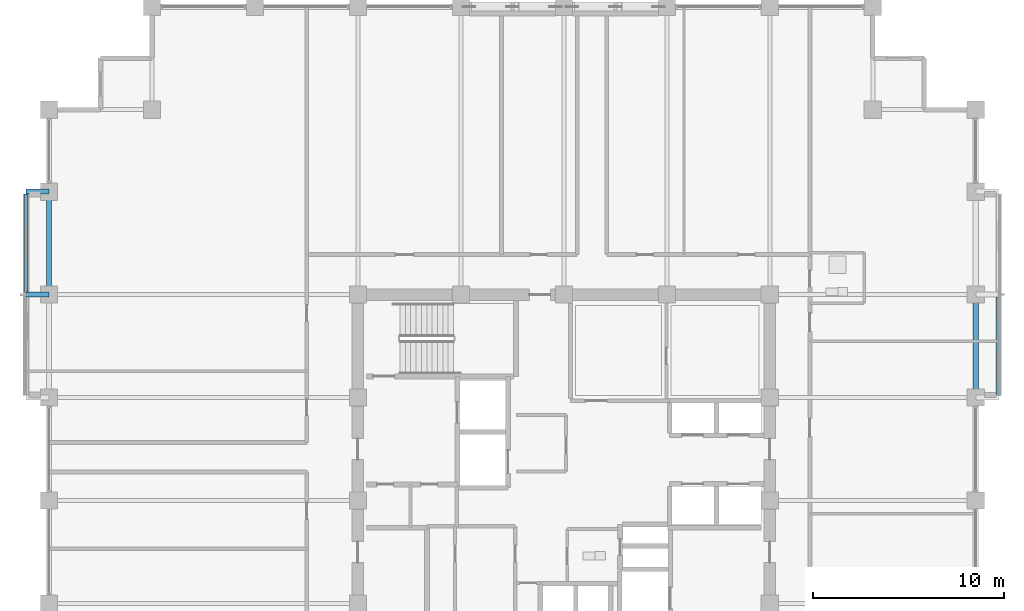
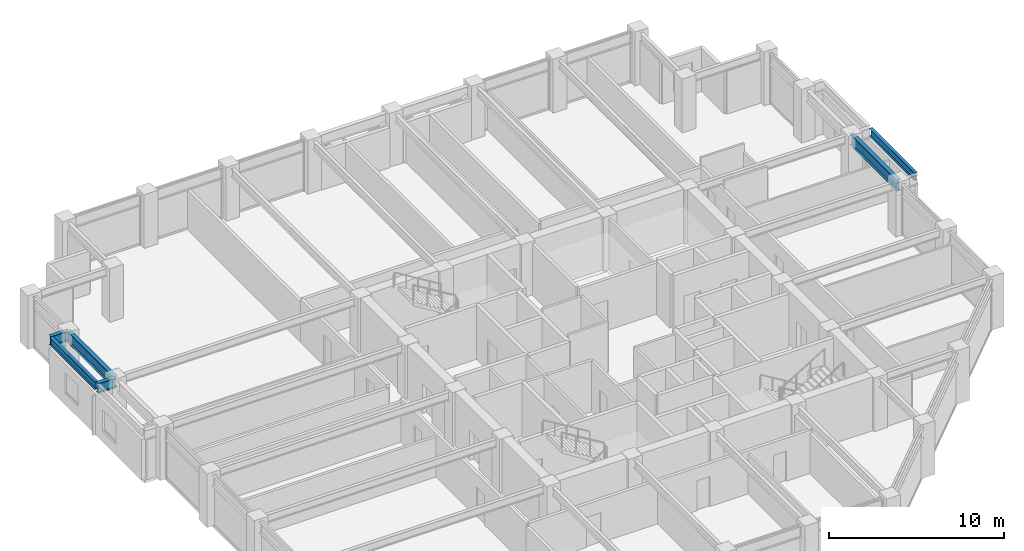
# One storey, part 15 of 32: 6 beams.
"""IFC4 building model written with IfcOpenShell, lengths in metres."""

from ifc_helpers import new_model, si_unit, direction, frame, origin, origin_2d, place, context, subcontext, project, spatial, i_section, extrude, material, material_profile, profile_set, type_object, element, save


model = new_model("IFC4")

# Units and contexts
model_context = context("Model", 3, precision=1e-05, world=origin(), true_north=direction((0.0, 1.0)))
body_context = subcontext(model_context, "Body", "Model", "MODEL_VIEW")
ifc_project = project(units=[si_unit("LENGTHUNIT", "METRE"), si_unit("AREAUNIT", "SQUARE_METRE"), si_unit("VOLUMEUNIT", "CUBIC_METRE"), si_unit("PLANEANGLEUNIT", "RADIAN"), si_unit("MASSUNIT", "GRAM", prefix="KILO")], contexts=[model_context])

# Site, building, storey
site_placement = place(None, origin())
site = spatial("IfcSite", under=ifc_project, at=site_placement, CompositionType="ELEMENT")
building_placement = place(site_placement, origin())
building = spatial("IfcBuilding", under=site, at=building_placement, Name="Surkhivell Harbour Commons", CompositionType="ELEMENT")
storey_placement = place(building_placement, frame((0.0, 0.0, 186.0)))
storey = spatial("IfcBuildingStorey", under=building, at=storey_placement, Name="L48", CompositionType="ELEMENT", Elevation=186.0)

# Beams
ifc_material_1 = material(Name="Steel S460", Category="steel")
ifc_material_profile_1 = material_profile(ifc_material_1, i_section(OverallWidth=0.256103515625, OverallDepth=0.693115234375, WebThickness=0.014404296875, FlangeThickness=0.023681640625, at=origin_2d()), Name="UB686x254x170")
ifc_profile_set_1 = profile_set([ifc_material_profile_1], Name="Steel S460")
beam_type_1 = type_object("IfcBeamType", Name="BM-CNT-686", PredefinedType="BEAM", material=ifc_profile_set_1)
for number, where, z_axis, x_axis, name in (
    (1, (-27.0, 10.800048828125, 3.223388671875), (-1.0, 0.0, 0.0), (0.0, -1.0, 0.0), "L48 Box Cantilever Outrigger (-27.0,10.8)"),
    (2, (-27.0, 16.199951171875, 3.223388671875), (-1.0, 0.0, 0.0), (0.0, -1.0, 0.0), "L48 Box Cantilever Outrigger (-27.0,16.2)"),
):
    element("IfcBeam", number, at=place(storey_placement, frame(where, z_axis=z_axis, x_axis=x_axis)), inside=storey, type_object=beam_type_1, Name=name, PredefinedType="BEAM", context=body_context, shape_type="SweptSolid", body=[
        extrude(i_section(OverallWidth=0.256103515625, OverallDepth=0.693115234375, WebThickness=0.014404296875, FlangeThickness=0.023681640625, at=origin_2d()), origin(), (0.0, 0.0, 1.0), 1.199951171875),
    ])
ifc_material_2 = material(Name="Steel S355", Category="steel")
ifc_material_profile_2 = material_profile(ifc_material_2, i_section(OverallWidth=0.2099609375, OverallDepth=0.537109375, WebThickness=0.0107421875, FlangeThickness=0.017333984375, at=origin_2d()), Name="UB533x210x101")
ifc_profile_set_2 = profile_set([ifc_material_profile_2], Name="Steel S355")
beam_type_2 = type_object("IfcBeamType", Name="BM-GRD-533B", PredefinedType="BEAM", material=ifc_profile_set_2)
beam_1_placement = place(storey_placement, frame((-28.199951171875, 10.922119140625, 3.301513671875), z_axis=(0.0, 1.0, 0.0), x_axis=(-1.0, 0.0, 0.0)))
element("IfcBeam", 3, at=beam_1_placement, inside=storey, type_object=beam_type_2, Name="L48 Box Rim Spandrel (-28.2,10.8)", PredefinedType="BEAM", context=body_context, shape_type="SweptSolid", body=[
    extrude(i_section(OverallWidth=0.2099609375, OverallDepth=0.537109375, WebThickness=0.0107421875, FlangeThickness=0.017333984375, at=origin_2d()), origin(), (0.0, 0.0, 1.0), 5.15576171875),
])
beam_2_placement = place(storey_placement, frame((22.800048828125, 5.52197265625, 3.301513671875), z_axis=(0.0, 1.0, 0.0), x_axis=(-1.0, 0.0, 0.0)))
element("IfcBeam", 4, at=beam_2_placement, inside=storey, type_object=beam_type_2, Name="L48 Box Rim Spandrel (22.8,5.4)", PredefinedType="BEAM", context=body_context, shape_type="SweptSolid", body=[
    extrude(i_section(OverallWidth=0.2099609375, OverallDepth=0.537109375, WebThickness=0.0107421875, FlangeThickness=0.017333984375, at=origin_2d()), origin(), (0.0, 0.0, 1.0), 5.156005859375),
])
ifc_material_profile_3 = material_profile(ifc_material_2, i_section(OverallWidth=0.26806640625, OverallDepth=0.77001953125, WebThickness=0.015625, FlangeThickness=0.025390625, at=origin_2d()), Name="UB762x267x197")
ifc_profile_set_3 = profile_set([ifc_material_profile_3], Name="Steel S355")
beam_type_3 = type_object("IfcBeamType", Name="BM-SPN-762", PredefinedType="SPANDREL", material=ifc_profile_set_3)
beam_3_placement = place(storey_placement, frame((-27.0, 10.800048828125, 3.18505859375), z_axis=(0.0, 1.0, 0.0), x_axis=(-1.0, 0.0, 0.0)))
element("IfcBeam", 5, at=beam_3_placement, inside=storey, type_object=beam_type_3, Name="L48 Tube Spandrel (-27.0,10.8)", PredefinedType="SPANDREL", context=body_context, shape_type="SweptSolid", body=[
    extrude(i_section(OverallWidth=0.26806640625, OverallDepth=0.77001953125, WebThickness=0.015625, FlangeThickness=0.025390625, at=origin_2d()), origin(), (0.0, 0.0, 1.0), 5.39990234375),
])
beam_4_placement = place(storey_placement, frame((21.60009765625, 5.39990234375, 3.18505859375), z_axis=(0.0, 1.0, 0.0), x_axis=(-1.0, 0.0, 0.0)))
element("IfcBeam", 6, at=beam_4_placement, inside=storey, type_object=beam_type_3, Name="L48 Tube Spandrel (21.6,5.4)", PredefinedType="SPANDREL", context=body_context, shape_type="SweptSolid", body=[
    extrude(i_section(OverallWidth=0.26806640625, OverallDepth=0.77001953125, WebThickness=0.015625, FlangeThickness=0.025390625, at=origin_2d()), origin(), (0.0, 0.0, 1.0), 5.400146484375),
])

save(model, "model.ifc")
